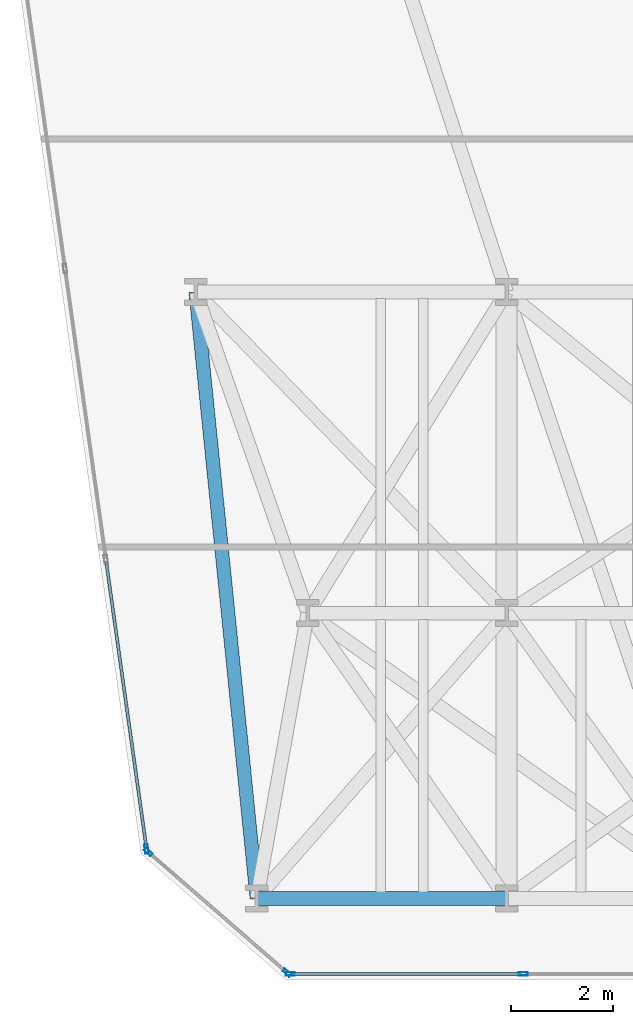
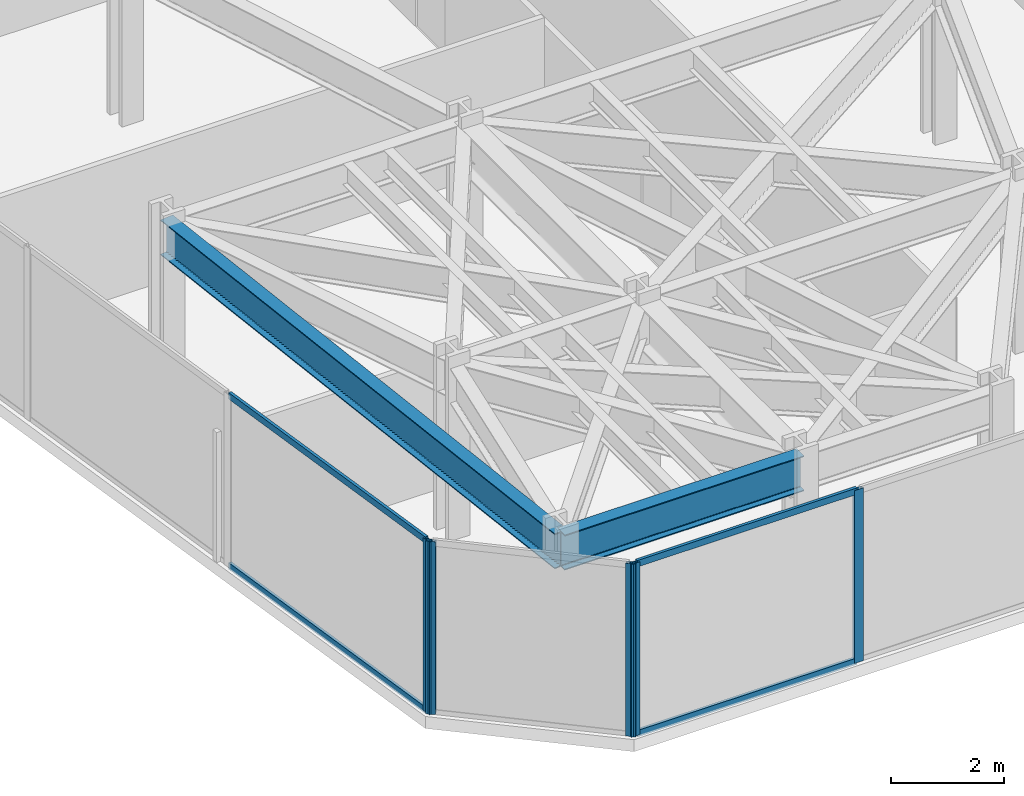
# One storey, part 2 of 24: 9 members, 2 beams, 3 elements without a shape of their own.
"""IFC4 building model written with IfcOpenShell, lengths in metres."""

import ifcopenshell
import ifcopenshell.guid

model = None  # the IFC model being written
_history = None  # IfcOwnerHistory: only IFC2X3 demands one
_inside = {}  # id of a spatial element -> (the spatial element, [elements in it])
_under = {}  # id of a project, library or spatial element -> (it, [spatial elements below it])
_declared = {}  # id of a project -> (the project, [libraries it declares])
_typed = {}  # id of a type object -> (the type object, [elements of that type])
_made_of = {}  # id of a material, layer set ... -> (it, [elements and type objects made of it])


def new_model(schema):
    """Start an empty IFC model of exactly this schema.

    Asked for "IFC4X3", IfcOpenShell would pick the latest addendum, in which some entities
    have other attributes; the version numbers below select the first issue.
    IFC2X3 requires an IfcOwnerHistory on every rooted entity: one is made here for all.
    """
    global model, _history
    if schema == "IFC4X3":
        model = ifcopenshell.file(schema_version=(4, 3, 0, 0))
    else:
        model = ifcopenshell.file(schema=schema)
    _inside.clear()
    _under.clear()
    _declared.clear()
    _typed.clear()
    _made_of.clear()
    _history = None
    if model.schema == "IFC2X3":
        org = make("IfcOrganization", Name="unknown")
        user = make(
            "IfcPersonAndOrganization",
            ThePerson=make("IfcPerson", FamilyName="unknown"),
            TheOrganization=org,
        )
        app = make(
            "IfcApplication",
            ApplicationDeveloper=org,
            Version="unknown",
            ApplicationFullName="unknown",
            ApplicationIdentifier="unknown",
        )
        _history = make(
            "IfcOwnerHistory",
            OwningUser=user,
            OwningApplication=app,
            ChangeAction="ADDED",
            CreationDate=0,
        )
    return model


def make(cls, **values):
    """One entity of the class cls with the attributes given. An attribute that is None is left unset."""
    return model.create_entity(
        cls, **{name: value for name, value in values.items() if value is not None}
    )


def rooted(cls, **values):
    """An entity with a GlobalId (a new one), such as an element, a storey or a relation."""
    return make(cls, GlobalId=ifcopenshell.guid.new(), OwnerHistory=_history, **values)


def si_unit(unit_type, name, prefix=None):
    """IfcSIUnit, for example si_unit("LENGTHUNIT", "METRE", prefix="MILLI")."""
    return make("IfcSIUnit", UnitType=unit_type, Prefix=prefix, Name=name)


def assignment(units):
    """IfcUnitAssignment: the units of a project."""
    return None if units is None else make("IfcUnitAssignment", Units=units)


def point(xyz):
    """IfcCartesianPoint."""
    return None if xyz is None else make("IfcCartesianPoint", Coordinates=xyz)


def direction(xyz):
    """IfcDirection."""
    return None if xyz is None else make("IfcDirection", DirectionRatios=xyz)


def frame(location, z_axis=None, x_axis=None):
    """IfcAxis2Placement3D, a coordinate frame: its origin and axes. An axis left out is left unset."""
    return make(
        "IfcAxis2Placement3D",
        Location=point(location),
        Axis=direction(z_axis),
        RefDirection=direction(x_axis),
    )


def frame_2d(location, x_axis=None):
    """IfcAxis2Placement2D, a coordinate frame in the plane: its origin and x axis."""
    return make(
        "IfcAxis2Placement2D", Location=point(location), RefDirection=direction(x_axis)
    )


def origin():
    """The frame at (0, 0, 0) with its axes left unset."""
    return frame((0.0, 0.0, 0.0))


def origin_2d():
    """The frame at (0, 0) in the plane with its x axis left unset."""
    return frame_2d((0.0, 0.0))


def place(relative_to, where):
    """IfcLocalPlacement: puts the frame where relative to a parent placement (None: the world)."""
    return make(
        "IfcLocalPlacement", PlacementRelTo=relative_to, RelativePlacement=where
    )


def context(
    kind, dimensions, precision=None, world=None, true_north=None, identifier=None
):
    """IfcGeometricRepresentationContext, for example the 3D "Model" context."""
    return make(
        "IfcGeometricRepresentationContext",
        ContextIdentifier=identifier,
        ContextType=kind,
        CoordinateSpaceDimension=dimensions,
        Precision=precision,
        WorldCoordinateSystem=world,
        TrueNorth=true_north,
    )


def subcontext(parent, identifier, kind, view, scale=None):
    """IfcGeometricRepresentationSubContext, for example "Body" below "Model"."""
    return make(
        "IfcGeometricRepresentationSubContext",
        ContextIdentifier=identifier,
        ContextType=kind,
        ParentContext=parent,
        TargetScale=scale,
        TargetView=view,
    )


def project(units=None, contexts=None):
    """IfcProject with its units and contexts."""
    return rooted(
        "IfcProject",
        Name="project",
        RepresentationContexts=contexts,
        UnitsInContext=assignment(units),
    )


def spatial(cls, under=None, at=None, **own):
    """A site, building, storey or space (cls), placed at a placement, below another one or the project."""
    s = rooted(cls, ObjectPlacement=at, **own)
    if under is not None:
        _under.setdefault(under.id(), (under, []))[1].append(s)
    return s


def profile(cls, at=None, kind="AREA", **sizes):
    """A parametric profile (cls). Its sizes go by their IFC names, for example OverallWidth=200.0."""
    return make(cls, ProfileType=kind, Position=at, **sizes)


def hollow_rectangle(**sizes):
    """IfcRectangleHollowProfileDef."""
    return profile("IfcRectangleHollowProfileDef", **sizes)


def i_section(**sizes):
    """IfcIShapeProfileDef."""
    return profile("IfcIShapeProfileDef", **sizes)


def extrude(swept, where, along, depth):
    """IfcExtrudedAreaSolid: the profile swept, set in the frame where, extruded along a direction by depth."""
    return make(
        "IfcExtrudedAreaSolid",
        SweptArea=swept,
        Position=where,
        ExtrudedDirection=direction(along),
        Depth=depth,
    )


def shape(context_of_items, identifier, shape_type, items):
    """IfcShapeRepresentation: the items that make up one representation, for example the "Body"."""
    return make(
        "IfcShapeRepresentation",
        ContextOfItems=context_of_items,
        RepresentationIdentifier=identifier,
        RepresentationType=shape_type,
        Items=items,
    )


def material(Name=None, Category=None):
    """IfcMaterial."""
    return make("IfcMaterial", Name=Name, Category=Category)


def layer(
    of_material, thickness, ventilated=None, Name=None, Category=None, Priority=None
):
    """IfcMaterialLayer: one layer of a wall or slab, of a material (None: an air gap)."""
    return make(
        "IfcMaterialLayer",
        Material=of_material,
        LayerThickness=thickness,
        IsVentilated=ventilated,
        Name=Name,
        Category=Category,
        Priority=Priority,
    )


def layer_set(layers, Name=None):
    """IfcMaterialLayerSet."""
    return make("IfcMaterialLayerSet", MaterialLayers=layers, LayerSetName=Name)


def material_profile(
    of_material, cross_section, Name=None, Category=None, Priority=None
):
    """IfcMaterialProfile: a cross section and its material."""
    return make(
        "IfcMaterialProfile",
        Name=Name,
        Material=of_material,
        Profile=cross_section,
        Priority=Priority,
        Category=Category,
    )


def profile_set(profiles, Name=None, composite=None):
    """IfcMaterialProfileSet."""
    return make(
        "IfcMaterialProfileSet",
        Name=Name,
        MaterialProfiles=profiles,
        CompositeProfile=composite,
    )


def made_of(thing, what):
    """Note that an element or type object is made of a material, layer set ...; save() writes the relation."""
    if what is not None:
        _made_of.setdefault(what.id(), (what, []))[1].append(thing)
    return thing


def type_object(cls, material=None, **own):
    """A type object (cls), such as IfcWallType, which elements share."""
    return made_of(rooted(cls, **own), material)


def element(
    cls,
    number,
    at=None,
    inside=None,
    cuts=None,
    type_object=None,
    material=None,
    context=None,
    identifier="Body",
    shape_type=None,
    held_by="IfcProductDefinitionShape",
    body=None,
    shapes=None,
    **own,
):
    """One element of the class cls, such as IfcWall. Its Tag is "e" and its number.

    at: its placement. inside: the storey or other place that contains it. cuts: it is an
    opening in that element (IfcRelVoidsElement). A single representation is given by context,
    identifier, shape_type and body (its items); several are given by shapes. held_by: the class
    of the entity that holds the representations. save() writes the other relations.
    """
    e = rooted(cls, Tag="e%d" % number, ObjectPlacement=at, **own)
    if body is not None:
        shapes = [shape(context, identifier, shape_type, body)]
    if shapes is not None:
        e.Representation = make(held_by, Representations=shapes)
    if inside is not None:
        _inside.setdefault(inside.id(), (inside, []))[1].append(e)
    if cuts is not None:
        rooted(
            "IfcRelVoidsElement", RelatingBuildingElement=cuts, RelatedOpeningElement=e
        )
    if type_object is not None:
        _typed.setdefault(type_object.id(), (type_object, []))[1].append(e)
    return made_of(e, material)


def aggregate(whole, parts):
    """IfcRelAggregates: a whole, such as a stair, and the parts it consists of."""
    return rooted("IfcRelAggregates", RelatingObject=whole, RelatedObjects=parts)


def save(model, path):
    """Write the relations noted so far, then the file.

    IfcRelAggregates (storeys below a building ...), IfcRelContainedInSpatialStructure (elements
    in a storey), IfcRelDefinesByType, IfcRelAssociatesMaterial and IfcRelDeclares: one each for
    every whole, place, type object, material and project.
    """
    for whole, parts in _under.values():
        aggregate(whole, parts)
    for where, things in _inside.values():
        rooted(
            "IfcRelContainedInSpatialStructure",
            RelatedElements=things,
            RelatingStructure=where,
        )
    for kind, things in _typed.values():
        rooted("IfcRelDefinesByType", RelatedObjects=things, RelatingType=kind)
    for what, things in _made_of.values():
        rooted("IfcRelAssociatesMaterial", RelatedObjects=things, RelatingMaterial=what)
    for by, libraries in _declared.values():
        rooted("IfcRelDeclares", RelatingContext=by, RelatedDefinitions=libraries)
    model.write(path)


model = new_model("IFC4")

# Units and contexts
model_context = context("Model", 3, precision=1e-05, world=origin(), true_north=direction((0.0, 1.0)))
body_context = subcontext(model_context, "Body", "Model", "MODEL_VIEW")
ifc_project = project(units=[si_unit("LENGTHUNIT", "METRE"), si_unit("AREAUNIT", "SQUARE_METRE"), si_unit("VOLUMEUNIT", "CUBIC_METRE"), si_unit("PLANEANGLEUNIT", "RADIAN"), si_unit("MASSUNIT", "GRAM", prefix="KILO")], contexts=[model_context])

# Site, building, storey
site_placement = place(None, origin())
site = spatial("IfcSite", under=ifc_project, at=site_placement, CompositionType="ELEMENT")
building_placement = place(site_placement, origin())
building = spatial("IfcBuilding", under=site, at=building_placement, Name="Kravanh Interchange Tower", CompositionType="ELEMENT")
storey_placement = place(building_placement, frame((0.0, 0.0, 53.5)))
storey = spatial("IfcBuildingStorey", under=building, at=storey_placement, Name="L12", CompositionType="ELEMENT", Elevation=53.5)

# Curtain wall, member
ifc_material_1 = material(Name="Anodised Bronze Aluminium", Category="aluminium")
ifc_layer = layer(ifc_material_1, 0.179931640625)
ifc_layer_set = layer_set([ifc_layer], Name="Unitised Curtain Wall System CW-Z1 Lower Office")
curtain_wall_type = type_object("IfcCurtainWallType", Name="Unitised Curtain Wall System CW-Z1 Lower Office", PredefinedType="NOTDEFINED", material=ifc_layer_set)
curtain_wall_1_placement = place(storey_placement, origin())
curtain_wall_1 = element("IfcCurtainWall", 1, at=curtain_wall_1_placement, inside=storey, type_object=curtain_wall_type, Name="L12 Unitised Curtain Wall CW-L12-01", PredefinedType="NOTDEFINED")
ifc_material_2 = material(Name="Anodised Bronze Aluminium", Category="aluminium")
ifc_material_profile_1 = material_profile(ifc_material_2, hollow_rectangle(XDim=0.070068359375, YDim=0.179931640625, WallThickness=0.00390625, at=origin_2d()), Name="ALU70X180X4")
ifc_profile_set_1 = profile_set([ifc_material_profile_1], Name="Anodised Bronze Aluminium")
member_type_1 = type_object("IfcMemberType", Name="Curtain Wall Mullion ALU70X180X4 Bronze", PredefinedType="MULLION", material=ifc_profile_set_1)
member_1_placement = place(storey_placement, frame((10.435546875, 3.571533203125, 0.0), z_axis=(0.0, 0.0, 1.0), x_axis=(-0.990267585682, -0.139176538065, 0.0)))
member_1 = element("IfcMember", 2, at=member_1_placement, type_object=member_type_1, Name="CW-Z1 mullion 1", PredefinedType="MULLION", context=body_context, shape_type="SweptSolid", body=[
    extrude(hollow_rectangle(XDim=0.070068359375, YDim=0.179931640625, WallThickness=0.00390625, at=origin_2d()), origin(), (0.0, 0.0, 1.0), 3.739990234375),
])

# Curtain wall, members
curtain_wall_2_placement = place(storey_placement, origin())
curtain_wall_2 = element("IfcCurtainWall", 3, at=curtain_wall_2_placement, inside=storey, type_object=curtain_wall_type, Name="L12 Unitised Curtain Wall CW-L12-06", PredefinedType="NOTDEFINED")
member_2_placement = place(storey_placement, frame((17.8271484375, 1.1201171875, 0.0), z_axis=(0.0, 0.0, 1.0), x_axis=(0.0, -1.0, 0.0)))
member_2 = element("IfcMember", 4, at=member_2_placement, type_object=member_type_1, Name="CW-Z1 mullion 2", PredefinedType="MULLION", context=body_context, shape_type="SweptSolid", body=[
    extrude(hollow_rectangle(XDim=0.070068359375, YDim=0.179931640625, WallThickness=0.00390625, at=origin_2d()), origin(), (0.0, 0.0, 1.0), 3.739990234375),
])
member_3_placement = place(storey_placement, frame((13.255615234375, 1.1201171875, 0.0), z_axis=(0.0, 0.0, 1.0), x_axis=(0.0, -1.0, 0.0)))
member_3 = element("IfcMember", 5, at=member_3_placement, type_object=member_type_1, Name="CW-Z1 mullion 3", PredefinedType="MULLION", context=body_context, shape_type="SweptSolid", body=[
    extrude(hollow_rectangle(XDim=0.070068359375, YDim=0.179931640625, WallThickness=0.00390625, at=origin_2d()), origin(), (0.0, 0.0, 1.0), 3.739990234375),
])

curtain_wall_3_placement = place(storey_placement, origin())
curtain_wall_3 = element("IfcCurtainWall", 6, at=curtain_wall_3_placement, inside=storey, type_object=curtain_wall_type, Name="L12 Unitised Curtain Wall CW-L12-07", PredefinedType="NOTDEFINED")
member_4_placement = place(storey_placement, frame((13.194091796875, 1.14306640625, 0.0), z_axis=(0.0, 0.0, 1.0), x_axis=(-0.656060422341, -0.754708368999, 0.0)))
member_4 = element("IfcMember", 7, at=member_4_placement, type_object=member_type_1, Name="CW-Z1 mullion 1", PredefinedType="MULLION", context=body_context, shape_type="SweptSolid", body=[
    extrude(hollow_rectangle(XDim=0.070068359375, YDim=0.179931640625, WallThickness=0.00390625, at=origin_2d()), origin(), (0.0, 0.0, 1.0), 3.739990234375),
])
member_5_placement = place(storey_placement, frame((10.466796875, 3.513916015625, 0.0), z_axis=(0.0, 0.0, 1.0), x_axis=(-0.656060422341, -0.754708368999, 0.0)))
member_5 = element("IfcMember", 8, at=member_5_placement, type_object=member_type_1, Name="CW-Z1 mullion 2", PredefinedType="MULLION", context=body_context, shape_type="SweptSolid", body=[
    extrude(hollow_rectangle(XDim=0.070068359375, YDim=0.179931640625, WallThickness=0.00390625, at=origin_2d()), origin(), (0.0, 0.0, 1.0), 3.739990234375),
])
aggregate(curtain_wall_3, [member_4, member_5])

# Member
ifc_material_3 = material(Name="Anodised Bronze Aluminium", Category="aluminium")
ifc_material_profile_2 = material_profile(ifc_material_3, hollow_rectangle(XDim=0.06005859375, YDim=0.139892578125, WallThickness=0.00390625, at=origin_2d()), Name="ALU60X140X4")
ifc_profile_set_2 = profile_set([ifc_material_profile_2], Name="Anodised Bronze Aluminium")
member_type_2 = type_object("IfcMemberType", Name="Curtain Wall Transom ALU60X140X4 Bronze", PredefinedType="USERDEFINED", material=ifc_profile_set_2)
member_6_placement = place(storey_placement, frame((10.4306640625, 3.606201171875, 0.030029296875), z_axis=(-0.139199330487, 0.990264382068, 0.0), x_axis=(-0.990264382068, -0.139199330487, 0.0)))
member_6 = element("IfcMember", 9, at=member_6_placement, type_object=member_type_2, Name="CW-Z1 transom 1.1", ObjectType="TRANSOM", PredefinedType="USERDEFINED", context=body_context, shape_type="SweptSolid", body=[
    extrude(hollow_rectangle(XDim=0.06005859375, YDim=0.139892578125, WallThickness=0.00390625, at=origin_2d()), origin(), (0.0, 0.0, 1.0), 5.66162109375),
])

member_7_placement = place(storey_placement, frame((10.4306640625, 3.606201171875, 3.7099609375), z_axis=(-0.139199330487, 0.990264382068, 0.0), x_axis=(-0.990264382068, -0.139199330487, 0.0)))
member_7 = element("IfcMember", 10, at=member_7_placement, type_object=member_type_2, Name="CW-Z1 transom 1.2", ObjectType="TRANSOM", PredefinedType="USERDEFINED", context=body_context, shape_type="SweptSolid", body=[
    extrude(hollow_rectangle(XDim=0.06005859375, YDim=0.139892578125, WallThickness=0.00390625, at=origin_2d()), origin(), (0.0, 0.0, 1.0), 5.66162109375),
])

aggregate(curtain_wall_1, [member_1, member_6, member_7])

member_8_placement = place(storey_placement, frame((17.792236328125, 1.1201171875, 0.030029296875), z_axis=(-1.0, 0.0, 0.0), x_axis=(0.0, -1.0, 0.0)))
member_8 = element("IfcMember", 11, at=member_8_placement, type_object=member_type_2, Name="CW-Z1 transom 2.1", ObjectType="TRANSOM", PredefinedType="USERDEFINED", context=body_context, shape_type="SweptSolid", body=[
    extrude(hollow_rectangle(XDim=0.06005859375, YDim=0.139892578125, WallThickness=0.00390625, at=origin_2d()), origin(), (0.0, 0.0, 1.0), 4.501708984375),
])

member_9_placement = place(storey_placement, frame((17.792236328125, 1.1201171875, 3.7099609375), z_axis=(-1.0, 0.0, 0.0), x_axis=(0.0, -1.0, 0.0)))
member_9 = element("IfcMember", 12, at=member_9_placement, type_object=member_type_2, Name="CW-Z1 transom 2.2", ObjectType="TRANSOM", PredefinedType="USERDEFINED", context=body_context, shape_type="SweptSolid", body=[
    extrude(hollow_rectangle(XDim=0.06005859375, YDim=0.139892578125, WallThickness=0.00390625, at=origin_2d()), origin(), (0.0, 0.0, 1.0), 4.501708984375),
])

aggregate(curtain_wall_2, [member_2, member_3, member_8, member_9])

# Beams
ifc_material_4 = material(Name="Structural Steel S355", Category="steel")
ifc_material_profile_3 = material_profile(ifc_material_4, i_section(OverallWidth=0.26708984375, OverallDepth=0.761962890625, WebThickness=0.014404296875, FlangeThickness=0.021484375, FilletRadius=0.02490234375, at=origin_2d()), Name="W30X116")
ifc_profile_set_3 = profile_set([ifc_material_profile_3], Name="Structural Steel S355")
beam_type = type_object("IfcBeamType", Name="Floor Spandrel W30X116 Structural Steel S355", PredefinedType="SPANDREL", material=ifc_profile_set_3)
beam_1_placement = place(storey_placement, frame((12.60009765625, 2.60009765625, 3.35888671875), z_axis=(1.0, 0.0, 0.0), x_axis=(0.0, 1.0, 0.0)))
element("IfcBeam", 13, at=beam_1_placement, inside=storey, type_object=beam_type, Name="L12 Perimeter Spandrel 38", PredefinedType="SPANDREL", context=body_context, shape_type="SweptSolid", body=[
    extrude(i_section(OverallWidth=0.26708984375, OverallDepth=0.761962890625, WebThickness=0.014404296875, FlangeThickness=0.021484375, FilletRadius=0.02490234375, at=origin_2d()), origin(), (0.0, 0.0, 1.0), 4.89990234375),
])
beam_2_placement = place(storey_placement, frame((12.60009765625, 2.60009765625, 3.35888671875), z_axis=(-0.100348483042, 0.994952351598, 0.0), x_axis=(-0.994952351598, -0.100348483042, 0.0)))
element("IfcBeam", 14, at=beam_2_placement, inside=storey, type_object=beam_type, Name="L12 Perimeter Spandrel 41", PredefinedType="SPANDREL", context=body_context, shape_type="SweptSolid", body=[
    extrude(i_section(OverallWidth=0.26708984375, OverallDepth=0.761962890625, WebThickness=0.014404296875, FlangeThickness=0.021484375, FilletRadius=0.02490234375, at=origin_2d()), origin(), (0.0, 0.0, 1.0), 11.960205078125),
])

save(model, "model.ifc")
